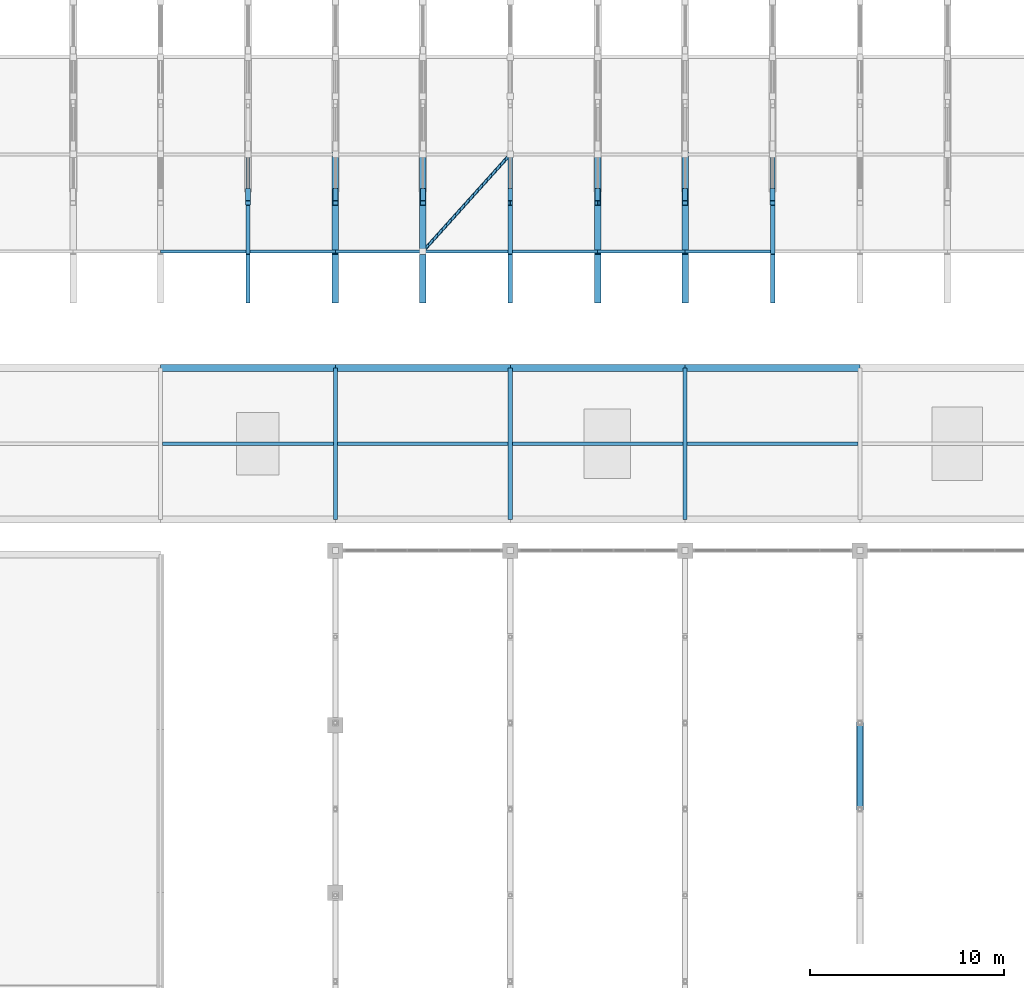
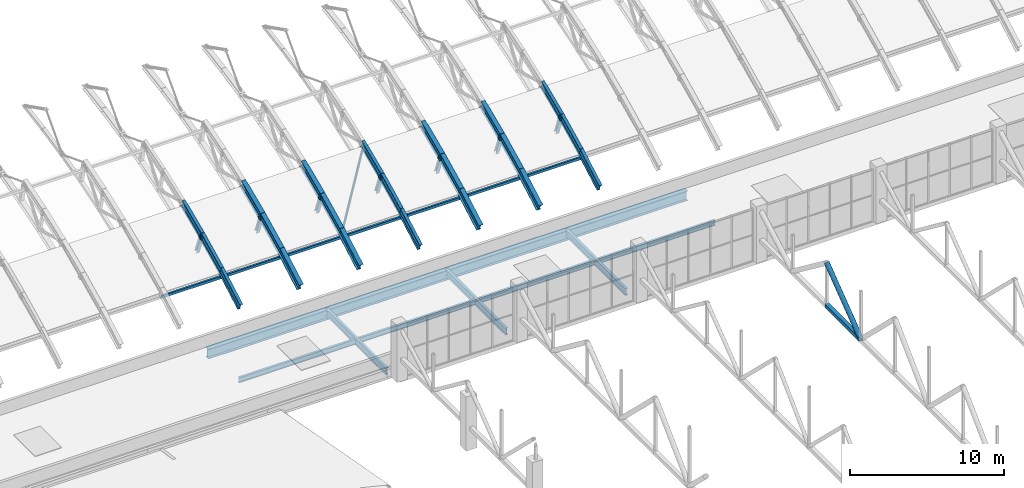
# One storey, part 23 of 103: 32 beams, 17 members.
"""IFC4 building model written with IfcOpenShell, lengths in metres."""

from ifc_helpers import new_model, si_unit, direction, frame, origin, origin_2d, place, context, subcontext, project, spatial, hollow_rectangle, hollow_circle, i_section, extrude, material, material_profile, profile_set, type_object, element, save


model = new_model("IFC4")

# Units and contexts
model_context = context("Model", 3, precision=1e-05, world=origin(), true_north=direction((0.0, 1.0)))
body_context = subcontext(model_context, "Body", "Model", "MODEL_VIEW")
ifc_project = project(units=[si_unit("LENGTHUNIT", "METRE"), si_unit("AREAUNIT", "SQUARE_METRE"), si_unit("VOLUMEUNIT", "CUBIC_METRE"), si_unit("PLANEANGLEUNIT", "RADIAN"), si_unit("MASSUNIT", "GRAM", prefix="KILO")], contexts=[model_context])

# Site, building, storey
site_placement = place(None, origin())
site = spatial("IfcSite", under=ifc_project, at=site_placement, CompositionType="ELEMENT")
building_placement = place(site_placement, origin())
building = spatial("IfcBuilding", under=site, at=building_placement, Name="Cazmaro Siding Exhibition Halls", CompositionType="ELEMENT")
storey_placement = place(building_placement, frame((0.0, 0.0, 16.5)))
storey = spatial("IfcBuildingStorey", under=building, at=storey_placement, Name="L03", CompositionType="ELEMENT", Elevation=16.5)

# Beams
ifc_material_1 = material(Name="Steel ASTM A992 Grade 50", Category="steel")
ifc_material_profile_1 = material_profile(ifc_material_1, i_section(OverallWidth=0.327880859375, OverallDepth=0.626953125, WebThickness=0.01708984375, FlangeThickness=0.028076171875, at=origin_2d()), Name="W24X146")
ifc_profile_set_1 = profile_set([ifc_material_profile_1], Name="Steel ASTM A992 Grade 50")
beam_type_1 = type_object("IfcBeamType", Name="AR-01", PredefinedType="USERDEFINED", material=ifc_profile_set_1)
beam_1_placement = place(storey_placement, frame((72.0, 66.5, -0.60693359375), z_axis=(0.0, 0.871320907359, 0.490713639916), x_axis=(-1.0, 0.0, 0.0)))
element("IfcBeam", 1, at=beam_1_placement, inside=storey, type_object=beam_type_1, Name="Space frame barrel vault arched rib AR-01 BM-0680", ObjectType="ARCHED RIB", PredefinedType="USERDEFINED", context=body_context, shape_type="SweptSolid", body=[
    extrude(i_section(OverallWidth=0.327880859375, OverallDepth=0.626953125, WebThickness=0.01708984375, FlangeThickness=0.028076171875, at=origin_2d()), origin(), (0.0, 0.0, 1.0), 2.869140625),
])
beam_2_placement = place(storey_placement, frame((72.0, 69.0, 0.801025390625), z_axis=(0.0, 0.895996638269, 0.444060833908), x_axis=(-1.0, 0.0, 0.0)))
element("IfcBeam", 2, at=beam_2_placement, inside=storey, type_object=beam_type_1, Name="Space frame barrel vault arched rib AR-01 BM-0681", ObjectType="ARCHED RIB", PredefinedType="USERDEFINED", context=body_context, shape_type="SweptSolid", body=[
    extrude(i_section(OverallWidth=0.327880859375, OverallDepth=0.626953125, WebThickness=0.01708984375, FlangeThickness=0.028076171875, at=origin_2d()), origin(), (0.0, 0.0, 1.0), 2.790283203125),
])
beam_3_placement = place(storey_placement, frame((72.0, 71.5, 2.0400390625), z_axis=(0.0, 0.917729918626, 0.397204980405), x_axis=(-1.0, 0.0, 0.0)))
element("IfcBeam", 3, at=beam_3_placement, inside=storey, type_object=beam_type_1, Name="Space frame barrel vault arched rib AR-01 BM-0682", ObjectType="ARCHED RIB", PredefinedType="USERDEFINED", context=body_context, shape_type="SweptSolid", body=[
    extrude(i_section(OverallWidth=0.327880859375, OverallDepth=0.626953125, WebThickness=0.01708984375, FlangeThickness=0.028076171875, at=origin_2d()), origin(), (0.0, 0.0, 1.0), 2.72412109375),
])
beam_4_placement = place(storey_placement, frame((85.5, 66.5, -0.60693359375), z_axis=(0.0, 0.871320907359, 0.490713639916), x_axis=(-1.0, 0.0, 0.0)))
element("IfcBeam", 4, at=beam_4_placement, inside=storey, type_object=beam_type_1, Name="Space frame barrel vault arched rib AR-01 BM-0752", ObjectType="ARCHED RIB", PredefinedType="USERDEFINED", context=body_context, shape_type="SweptSolid", body=[
    extrude(i_section(OverallWidth=0.327880859375, OverallDepth=0.626953125, WebThickness=0.01708984375, FlangeThickness=0.028076171875, at=origin_2d()), origin(), (0.0, 0.0, 1.0), 2.869140625),
])
beam_5_placement = place(storey_placement, frame((85.5, 69.0, 0.801025390625), z_axis=(0.0, 0.895996638269, 0.444060833908), x_axis=(-1.0, 0.0, 0.0)))
element("IfcBeam", 5, at=beam_5_placement, inside=storey, type_object=beam_type_1, Name="Space frame barrel vault arched rib AR-01 BM-0753", ObjectType="ARCHED RIB", PredefinedType="USERDEFINED", context=body_context, shape_type="SweptSolid", body=[
    extrude(i_section(OverallWidth=0.327880859375, OverallDepth=0.626953125, WebThickness=0.01708984375, FlangeThickness=0.028076171875, at=origin_2d()), origin(), (0.0, 0.0, 1.0), 2.790283203125),
])
beam_6_placement = place(storey_placement, frame((85.5, 71.5, 2.0400390625), z_axis=(0.0, 0.917729918626, 0.397204980405), x_axis=(-1.0, 0.0, 0.0)))
element("IfcBeam", 6, at=beam_6_placement, inside=storey, type_object=beam_type_1, Name="Space frame barrel vault arched rib AR-01 BM-0754", ObjectType="ARCHED RIB", PredefinedType="USERDEFINED", context=body_context, shape_type="SweptSolid", body=[
    extrude(i_section(OverallWidth=0.327880859375, OverallDepth=0.626953125, WebThickness=0.01708984375, FlangeThickness=0.028076171875, at=origin_2d()), origin(), (0.0, 0.0, 1.0), 2.72412109375),
])
ifc_material_2 = material(Name="Steel ASTM A992 Grade 50", Category="steel")
ifc_material_profile_2 = material_profile(ifc_material_2, i_section(OverallWidth=0.324951171875, OverallDepth=0.612060546875, WebThickness=0.012939453125, FlangeThickness=0.01904296875, at=origin_2d()), Name="W24X104")
ifc_profile_set_2 = profile_set([ifc_material_profile_2], Name="Steel ASTM A992 Grade 50")
beam_type_2 = type_object("IfcBeamType", Name="AR-02", PredefinedType="USERDEFINED", material=ifc_profile_set_2)
beam_7_placement = place(storey_placement, frame((76.5, 66.5, -0.60693359375), z_axis=(0.0, 0.871320907359, 0.490713639916), x_axis=(-1.0, 0.0, 0.0)))
element("IfcBeam", 7, at=beam_7_placement, inside=storey, type_object=beam_type_2, Name="Space frame barrel vault arched rib AR-02 BM-0704", ObjectType="ARCHED RIB", PredefinedType="USERDEFINED", context=body_context, shape_type="SweptSolid", body=[
    extrude(i_section(OverallWidth=0.324951171875, OverallDepth=0.612060546875, WebThickness=0.012939453125, FlangeThickness=0.01904296875, at=origin_2d()), origin(), (0.0, 0.0, 1.0), 2.869140625),
])
beam_8_placement = place(storey_placement, frame((76.5, 69.0, 0.801025390625), z_axis=(0.0, 0.895996638269, 0.444060833908), x_axis=(-1.0, 0.0, 0.0)))
element("IfcBeam", 8, at=beam_8_placement, inside=storey, type_object=beam_type_2, Name="Space frame barrel vault arched rib AR-02 BM-0705", ObjectType="ARCHED RIB", PredefinedType="USERDEFINED", context=body_context, shape_type="SweptSolid", body=[
    extrude(i_section(OverallWidth=0.324951171875, OverallDepth=0.612060546875, WebThickness=0.012939453125, FlangeThickness=0.01904296875, at=origin_2d()), origin(), (0.0, 0.0, 1.0), 2.790283203125),
])
beam_9_placement = place(storey_placement, frame((76.5, 71.5, 2.0400390625), z_axis=(0.0, 0.917729918626, 0.397204980405), x_axis=(-1.0, 0.0, 0.0)))
element("IfcBeam", 9, at=beam_9_placement, inside=storey, type_object=beam_type_2, Name="Space frame barrel vault arched rib AR-02 BM-0706", ObjectType="ARCHED RIB", PredefinedType="USERDEFINED", context=body_context, shape_type="SweptSolid", body=[
    extrude(i_section(OverallWidth=0.324951171875, OverallDepth=0.612060546875, WebThickness=0.012939453125, FlangeThickness=0.01904296875, at=origin_2d()), origin(), (0.0, 0.0, 1.0), 2.72412109375),
])
beam_10_placement = place(storey_placement, frame((90.0, 66.5, -0.60693359375), z_axis=(0.0, 0.871320907359, 0.490713639916), x_axis=(-1.0, 0.0, 0.0)))
element("IfcBeam", 10, at=beam_10_placement, inside=storey, type_object=beam_type_2, Name="Space frame barrel vault arched rib AR-02 BM-0776", ObjectType="ARCHED RIB", PredefinedType="USERDEFINED", context=body_context, shape_type="SweptSolid", body=[
    extrude(i_section(OverallWidth=0.324951171875, OverallDepth=0.612060546875, WebThickness=0.012939453125, FlangeThickness=0.01904296875, at=origin_2d()), origin(), (0.0, 0.0, 1.0), 2.869140625),
])
beam_11_placement = place(storey_placement, frame((90.0, 69.0, 0.801025390625), z_axis=(0.0, 0.895996638269, 0.444060833908), x_axis=(-1.0, 0.0, 0.0)))
element("IfcBeam", 11, at=beam_11_placement, inside=storey, type_object=beam_type_2, Name="Space frame barrel vault arched rib AR-02 BM-0777", ObjectType="ARCHED RIB", PredefinedType="USERDEFINED", context=body_context, shape_type="SweptSolid", body=[
    extrude(i_section(OverallWidth=0.324951171875, OverallDepth=0.612060546875, WebThickness=0.012939453125, FlangeThickness=0.01904296875, at=origin_2d()), origin(), (0.0, 0.0, 1.0), 2.790283203125),
])
beam_12_placement = place(storey_placement, frame((90.0, 71.5, 2.0400390625), z_axis=(0.0, 0.917729918626, 0.397204980405), x_axis=(-1.0, 0.0, 0.0)))
element("IfcBeam", 12, at=beam_12_placement, inside=storey, type_object=beam_type_2, Name="Space frame barrel vault arched rib AR-02 BM-0778", ObjectType="ARCHED RIB", PredefinedType="USERDEFINED", context=body_context, shape_type="SweptSolid", body=[
    extrude(i_section(OverallWidth=0.324951171875, OverallDepth=0.612060546875, WebThickness=0.012939453125, FlangeThickness=0.01904296875, at=origin_2d()), origin(), (0.0, 0.0, 1.0), 2.72412109375),
])
ifc_material_3 = material(Name="Steel ASTM A992 Grade 50", Category="steel")
ifc_material_profile_3 = material_profile(ifc_material_3, i_section(OverallWidth=0.22900390625, OverallDepth=0.612060546875, WebThickness=0.011962890625, FlangeThickness=0.02001953125, at=origin_2d()), Name="W24X84")
ifc_profile_set_3 = profile_set([ifc_material_profile_3], Name="Steel ASTM A992 Grade 50")
beam_type_3 = type_object("IfcBeamType", Name="AR-03", PredefinedType="USERDEFINED", material=ifc_profile_set_3)
beam_13_placement = place(storey_placement, frame((67.5, 66.5, -0.60693359375), z_axis=(0.0, 0.871320907359, 0.490713639916), x_axis=(-1.0, 0.0, 0.0)))
element("IfcBeam", 13, at=beam_13_placement, inside=storey, type_object=beam_type_3, Name="Space frame barrel vault arched rib AR-03 BM-0656", ObjectType="ARCHED RIB", PredefinedType="USERDEFINED", context=body_context, shape_type="SweptSolid", body=[
    extrude(i_section(OverallWidth=0.22900390625, OverallDepth=0.612060546875, WebThickness=0.011962890625, FlangeThickness=0.02001953125, at=origin_2d()), origin(), (0.0, 0.0, 1.0), 2.869140625),
])
beam_14_placement = place(storey_placement, frame((67.5, 69.0, 0.801025390625), z_axis=(0.0, 0.895996638269, 0.444060833908), x_axis=(-1.0, 0.0, 0.0)))
element("IfcBeam", 14, at=beam_14_placement, inside=storey, type_object=beam_type_3, Name="Space frame barrel vault arched rib AR-03 BM-0657", ObjectType="ARCHED RIB", PredefinedType="USERDEFINED", context=body_context, shape_type="SweptSolid", body=[
    extrude(i_section(OverallWidth=0.22900390625, OverallDepth=0.612060546875, WebThickness=0.011962890625, FlangeThickness=0.02001953125, at=origin_2d()), origin(), (0.0, 0.0, 1.0), 2.790283203125),
])
beam_15_placement = place(storey_placement, frame((67.5, 71.5, 2.0400390625), z_axis=(0.0, 0.917729918626, 0.397204980405), x_axis=(-1.0, 0.0, 0.0)))
element("IfcBeam", 15, at=beam_15_placement, inside=storey, type_object=beam_type_3, Name="Space frame barrel vault arched rib AR-03 BM-0658", ObjectType="ARCHED RIB", PredefinedType="USERDEFINED", context=body_context, shape_type="SweptSolid", body=[
    extrude(i_section(OverallWidth=0.22900390625, OverallDepth=0.612060546875, WebThickness=0.011962890625, FlangeThickness=0.02001953125, at=origin_2d()), origin(), (0.0, 0.0, 1.0), 2.72412109375),
])
beam_16_placement = place(storey_placement, frame((81.0, 66.5, -0.60693359375), z_axis=(0.0, 0.871320907359, 0.490713639916), x_axis=(-1.0, 0.0, 0.0)))
element("IfcBeam", 16, at=beam_16_placement, inside=storey, type_object=beam_type_3, Name="Space frame barrel vault arched rib AR-03 BM-0728", ObjectType="ARCHED RIB", PredefinedType="USERDEFINED", context=body_context, shape_type="SweptSolid", body=[
    extrude(i_section(OverallWidth=0.22900390625, OverallDepth=0.612060546875, WebThickness=0.011962890625, FlangeThickness=0.02001953125, at=origin_2d()), origin(), (0.0, 0.0, 1.0), 2.869140625),
])
beam_17_placement = place(storey_placement, frame((81.0, 69.0, 0.801025390625), z_axis=(0.0, 0.895996638269, 0.444060833908), x_axis=(-1.0, 0.0, 0.0)))
element("IfcBeam", 17, at=beam_17_placement, inside=storey, type_object=beam_type_3, Name="Space frame barrel vault arched rib AR-03 BM-0729", ObjectType="ARCHED RIB", PredefinedType="USERDEFINED", context=body_context, shape_type="SweptSolid", body=[
    extrude(i_section(OverallWidth=0.22900390625, OverallDepth=0.612060546875, WebThickness=0.011962890625, FlangeThickness=0.02001953125, at=origin_2d()), origin(), (0.0, 0.0, 1.0), 2.790283203125),
])
beam_18_placement = place(storey_placement, frame((81.0, 71.5, 2.0400390625), z_axis=(0.0, 0.917729918626, 0.397204980405), x_axis=(-1.0, 0.0, 0.0)))
element("IfcBeam", 18, at=beam_18_placement, inside=storey, type_object=beam_type_3, Name="Space frame barrel vault arched rib AR-03 BM-0730", ObjectType="ARCHED RIB", PredefinedType="USERDEFINED", context=body_context, shape_type="SweptSolid", body=[
    extrude(i_section(OverallWidth=0.22900390625, OverallDepth=0.612060546875, WebThickness=0.011962890625, FlangeThickness=0.02001953125, at=origin_2d()), origin(), (0.0, 0.0, 1.0), 2.72412109375),
])
beam_19_placement = place(storey_placement, frame((94.5, 66.5, -0.60693359375), z_axis=(0.0, 0.871320907359, 0.490713639916), x_axis=(-1.0, 0.0, 0.0)))
element("IfcBeam", 19, at=beam_19_placement, inside=storey, type_object=beam_type_3, Name="Space frame barrel vault arched rib AR-03 BM-0800", ObjectType="ARCHED RIB", PredefinedType="USERDEFINED", context=body_context, shape_type="SweptSolid", body=[
    extrude(i_section(OverallWidth=0.22900390625, OverallDepth=0.612060546875, WebThickness=0.011962890625, FlangeThickness=0.02001953125, at=origin_2d()), origin(), (0.0, 0.0, 1.0), 2.869140625),
])
beam_20_placement = place(storey_placement, frame((94.5, 69.0, 0.801025390625), z_axis=(0.0, 0.895996638269, 0.444060833908), x_axis=(-1.0, 0.0, 0.0)))
element("IfcBeam", 20, at=beam_20_placement, inside=storey, type_object=beam_type_3, Name="Space frame barrel vault arched rib AR-03 BM-0801", ObjectType="ARCHED RIB", PredefinedType="USERDEFINED", context=body_context, shape_type="SweptSolid", body=[
    extrude(i_section(OverallWidth=0.22900390625, OverallDepth=0.612060546875, WebThickness=0.011962890625, FlangeThickness=0.02001953125, at=origin_2d()), origin(), (0.0, 0.0, 1.0), 2.790283203125),
])
beam_21_placement = place(storey_placement, frame((94.5, 71.5, 2.0400390625), z_axis=(0.0, 0.917729918626, 0.397204980405), x_axis=(-1.0, 0.0, 0.0)))
element("IfcBeam", 21, at=beam_21_placement, inside=storey, type_object=beam_type_3, Name="Space frame barrel vault arched rib AR-03 BM-0802", ObjectType="ARCHED RIB", PredefinedType="USERDEFINED", context=body_context, shape_type="SweptSolid", body=[
    extrude(i_section(OverallWidth=0.22900390625, OverallDepth=0.612060546875, WebThickness=0.011962890625, FlangeThickness=0.02001953125, at=origin_2d()), origin(), (0.0, 0.0, 1.0), 2.72412109375),
])
ifc_material_4 = material(Name="Steel ASTM A992 Grade 50", Category="steel")
ifc_material_profile_4 = material_profile(ifc_material_4, i_section(OverallWidth=0.2099609375, OverallDepth=0.535888671875, WebThickness=0.010986328125, FlangeThickness=0.01708984375, at=origin_2d()), Name="W21X68")
ifc_profile_set_4 = profile_set([ifc_material_profile_4], Name="Steel ASTM A992 Grade 50")
beam_type_4 = type_object("IfcBeamType", Name="B-02", PredefinedType="BEAM", material=ifc_profile_set_4)
for number, where, z_axis, x_axis, name in (
    (22, (72.0, 55.199951171875, -0.443115234375), (0.0, 1.0, 0.0), (-1.0, 0.0, 0.0), "Beam B-02 BM-1698"),
    (23, (81.0, 55.199951171875, -0.443115234375), (0.0, 1.0, 0.0), (-1.0, 0.0, 0.0), "Beam B-02 BM-1701"),
    (24, (90.0, 55.199951171875, -0.443115234375), (0.0, 1.0, 0.0), (-1.0, 0.0, 0.0), "Beam B-02 BM-1704"),
):
    element("IfcBeam", number, at=place(storey_placement, frame(where, z_axis=z_axis, x_axis=x_axis)), inside=storey, type_object=beam_type_4, Name=name, PredefinedType="BEAM", context=body_context, shape_type="SweptSolid", body=[
        extrude(i_section(OverallWidth=0.2099609375, OverallDepth=0.535888671875, WebThickness=0.010986328125, FlangeThickness=0.01708984375, at=origin_2d()), origin(), (0.0, 0.0, 1.0), 7.800048828125),
    ])
ifc_material_5 = material(Name="Steel ASTM A992 Grade 50", Category="steel")
ifc_material_profile_5 = material_profile(ifc_material_5, i_section(OverallWidth=0.381103515625, OverallDepth=0.779052734375, WebThickness=0.01806640625, FlangeThickness=0.030029296875, at=origin_2d()), Name="W30X191")
ifc_profile_set_5 = profile_set([ifc_material_profile_5], Name="Steel ASTM A992 Grade 50")
beam_type_5 = type_object("IfcBeamType", Name="G-04", PredefinedType="USERDEFINED", material=ifc_profile_set_5)
for number, where, z_axis, x_axis, name in (
    (25, (63.0, 63.0, -0.56494140625), (1.0, 0.0, 0.0), (0.0, 1.0, 0.0), "Beam G-04 BM-1599"),
    (26, (72.0, 63.0, -0.56494140625), (1.0, 0.0, 0.0), (0.0, 1.0, 0.0), "Beam G-04 BM-1608"),
    (27, (81.0, 63.0, -0.56494140625), (1.0, 0.0, 0.0), (0.0, 1.0, 0.0), "Beam G-04 BM-1617"),
    (28, (90.0, 63.0, -0.56494140625), (1.0, 0.0, 0.0), (0.0, 1.0, 0.0), "Beam G-04 BM-1624"),
):
    element("IfcBeam", number, at=place(storey_placement, frame(where, z_axis=z_axis, x_axis=x_axis)), inside=storey, type_object=beam_type_5, Name=name, ObjectType="GIRDER", PredefinedType="USERDEFINED", context=body_context, shape_type="SweptSolid", body=[
        extrude(i_section(OverallWidth=0.381103515625, OverallDepth=0.779052734375, WebThickness=0.01806640625, FlangeThickness=0.030029296875, at=origin_2d()), origin(), (0.0, 0.0, 1.0), 9.0),
    ])
ifc_material_6 = material(Name="Steel ASTM A992 Grade 50", Category="steel")
ifc_material_profile_6 = material_profile(ifc_material_6, i_section(OverallWidth=0.177978515625, OverallDepth=0.406005859375, WebThickness=0.008056640625, FlangeThickness=0.012939453125, at=origin_2d()), Name="W16X40")
ifc_profile_set_6 = profile_set([ifc_material_profile_6], Name="Steel ASTM A992 Grade 50")
beam_type_6 = type_object("IfcBeamType", Name="J-02", PredefinedType="JOIST", material=ifc_profile_set_6)
for number, where, z_axis, x_axis, name in (
    (29, (63.10498046875, 59.10009765625, -0.3779296875), (1.0, 0.0, 0.0), (0.0, 1.0, 0.0), "Beam J-02 BM-1600"),
    (30, (72.10498046875, 59.10009765625, -0.3779296875), (1.0, 0.0, 0.0), (0.0, 1.0, 0.0), "Beam J-02 BM-1609"),
    (31, (81.10498046875, 59.10009765625, -0.3779296875), (1.0, 0.0, 0.0), (0.0, 1.0, 0.0), "Beam J-02 BM-1618"),
    (32, (90.10498046875, 59.10009765625, -0.3779296875), (1.0, 0.0, 0.0), (0.0, 1.0, 0.0), "Beam J-02 BM-1625"),
):
    element("IfcBeam", number, at=place(storey_placement, frame(where, z_axis=z_axis, x_axis=x_axis)), inside=storey, type_object=beam_type_6, Name=name, PredefinedType="JOIST", context=body_context, shape_type="SweptSolid", body=[
        extrude(i_section(OverallWidth=0.177978515625, OverallDepth=0.406005859375, WebThickness=0.008056640625, FlangeThickness=0.012939453125, at=origin_2d()), origin(), (0.0, 0.0, 1.0), 8.7900390625),
    ])

# Members
ifc_material_7 = material(Name="Steel ASTM A500 Grade C", Category="steel")
ifc_material_profile_7 = material_profile(ifc_material_7, hollow_rectangle(XDim=0.152099609375, YDim=0.202880859375, WallThickness=0.011962890625, at=origin_2d()), Name="HSS8X6X1/2")
ifc_profile_set_7 = profile_set([ifc_material_profile_7], Name="Steel ASTM A500 Grade C")
member_type_1 = type_object("IfcMemberType", Name="RP-01", PredefinedType="PURLIN", material=ifc_profile_set_7)
for number, where, z_axis, x_axis, name in (
    (33, (63.0, 69.0, 0.260986328125), (1.0, 0.0, 0.0), (0.0, 1.0, 0.0), "Space frame barrel vault purlin RP-01 MEM-2014"),
    (34, (67.5, 69.0, 0.260986328125), (1.0, 0.0, 0.0), (0.0, 1.0, 0.0), "Space frame barrel vault purlin RP-01 MEM-2025"),
    (35, (72.0, 69.0, 0.260986328125), (1.0, 0.0, 0.0), (0.0, 1.0, 0.0), "Space frame barrel vault purlin RP-01 MEM-2036"),
    (36, (76.5, 69.0, 0.260986328125), (1.0, 0.0, 0.0), (0.0, 1.0, 0.0), "Space frame barrel vault purlin RP-01 MEM-2047"),
    (37, (81.0, 69.0, 0.260986328125), (1.0, 0.0, 0.0), (0.0, 1.0, 0.0), "Space frame barrel vault purlin RP-01 MEM-2064"),
    (38, (85.5, 69.0, 0.260986328125), (1.0, 0.0, 0.0), (0.0, 1.0, 0.0), "Space frame barrel vault purlin RP-01 MEM-2075"),
    (39, (90.0, 69.0, 0.260986328125), (1.0, 0.0, 0.0), (0.0, 1.0, 0.0), "Space frame barrel vault purlin RP-01 MEM-2086"),
):
    element("IfcMember", number, at=place(storey_placement, frame(where, z_axis=z_axis, x_axis=x_axis)), inside=storey, type_object=member_type_1, Name=name, PredefinedType="PURLIN", context=body_context, shape_type="SweptSolid", body=[
        extrude(hollow_rectangle(XDim=0.152099609375, YDim=0.202880859375, WallThickness=0.011962890625, at=origin_2d()), origin(), (0.0, 0.0, 1.0), 4.5),
    ])
ifc_material_8 = material(Name="Steel ASTM A500 Grade C", Category="steel")
ifc_material_profile_8 = material_profile(ifc_material_8, hollow_rectangle(XDim=0.304931640625, YDim=0.304931640625, WallThickness=0.014892578125, at=origin_2d()), Name="HSS12X12X5/8")
ifc_profile_set_8 = profile_set([ifc_material_profile_8], Name="Steel ASTM A500 Grade C")
member_type_2 = type_object("IfcMemberType", Name="TC-02", PredefinedType="CHORD", material=ifc_profile_set_8)
member_1_placement = place(storey_placement, frame((99.0, 40.294921875, 1.699951171875), z_axis=(0.0, 1.0, 0.0), x_axis=(-1.0, 0.0, 0.0)))
element("IfcMember", 40, at=member_1_placement, inside=storey, type_object=member_type_2, Name="Warren roof truss bottom chord TC-02 MEM-2441", PredefinedType="CHORD", context=body_context, shape_type="SweptSolid", body=[
    extrude(hollow_rectangle(XDim=0.304931640625, YDim=0.304931640625, WallThickness=0.014892578125, at=origin_2d()), origin(), (0.0, 0.0, 1.0), 4.43505859375),
])
ifc_material_9 = material(Name="Steel ASTM A992 Grade 50", Category="steel")
ifc_material_profile_9 = material_profile(ifc_material_9, i_section(OverallWidth=0.25390625, OverallDepth=0.25390625, WebThickness=0.009033203125, FlangeThickness=0.013916015625, at=origin_2d()), Name="W10X49")
ifc_profile_set_9 = profile_set([ifc_material_profile_9], Name="Steel ASTM A992 Grade 50")
member_type_3 = type_object("IfcMemberType", Name="TP-04", PredefinedType="POST", material=ifc_profile_set_9)
for number, where, z_axis, x_axis, name in (
    (41, (67.5, 72.131103515625, 0.37890625), (0.0, -0.355155331276, 0.934807301355), (1.0, 0.0, 0.0), "Space frame barrel vault post TP-04 MEM-0358"),
    (42, (72.0, 72.131103515625, 0.37890625), (0.0, -0.355155331276, 0.934807301355), (1.0, 0.0, 0.0), "Space frame barrel vault post TP-04 MEM-0429"),
    (43, (76.5, 72.131103515625, 0.37890625), (0.0, -0.355155331276, 0.934807301355), (1.0, 0.0, 0.0), "Space frame barrel vault post TP-04 MEM-0500"),
    (44, (81.0, 72.131103515625, 0.37890625), (0.0, -0.355155331276, 0.934807301355), (1.0, 0.0, 0.0), "Space frame barrel vault post TP-04 MEM-0571"),
    (45, (85.5, 72.131103515625, 0.37890625), (0.0, -0.355155331276, 0.934807301355), (1.0, 0.0, 0.0), "Space frame barrel vault post TP-04 MEM-0642"),
    (46, (90.0, 72.131103515625, 0.37890625), (0.0, -0.355155331276, 0.934807301355), (1.0, 0.0, 0.0), "Space frame barrel vault post TP-04 MEM-0713"),
    (47, (94.5, 72.131103515625, 0.37890625), (0.0, -0.355155331276, 0.934807301355), (1.0, 0.0, 0.0), "Space frame barrel vault post TP-04 MEM-0784"),
):
    element("IfcMember", number, at=place(storey_placement, frame(where, z_axis=z_axis, x_axis=x_axis)), inside=storey, type_object=member_type_3, Name=name, PredefinedType="POST", context=body_context, shape_type="SweptSolid", body=[
        extrude(i_section(OverallWidth=0.25390625, OverallDepth=0.25390625, WebThickness=0.009033203125, FlangeThickness=0.013916015625, at=origin_2d()), origin(), (0.0, 0.0, 1.0), 1.777099609375),
    ])
ifc_material_10 = material(Name="Steel ASTM A500 Grade C", Category="steel")
ifc_material_profile_10 = material_profile(ifc_material_10, hollow_circle(Radius=0.083984375, WallThickness=0.01806640625, at=origin_2d()), Name="PIPE6XXS")
ifc_profile_set_10 = profile_set([ifc_material_profile_10], Name="Steel ASTM A500 Grade C")
member_type_4 = type_object("IfcMemberType", Name="WB-05", PredefinedType="BRACE", material=ifc_profile_set_10)
member_2_placement = place(storey_placement, frame((76.5, 69.0, 0.260986328125), z_axis=(0.632379029545, 0.702643366161, 0.326173363384), x_axis=(-0.743294146247, 0.668964731622, 0.0)))
element("IfcMember", 48, at=member_2_placement, inside=storey, type_object=member_type_4, Name="Space frame barrel vault wind brace WB-05 MEM-2058", PredefinedType="BRACE", context=body_context, shape_type="SweptSolid", body=[
    extrude(hollow_circle(Radius=0.083984375, WallThickness=0.01806640625, at=origin_2d()), origin(), (0.0, 0.0, 1.0), 7.115966796875),
])
ifc_material_11 = material(Name="Steel ASTM A500 Grade C", Category="steel")
ifc_material_profile_11 = material_profile(ifc_material_11, hollow_circle(Radius=0.177978515625, WallThickness=0.012939453125, at=origin_2d()), Name="PIPE14XS")
ifc_profile_set_11 = profile_set([ifc_material_profile_11], Name="Steel ASTM A500 Grade C")
member_type_5 = type_object("IfcMemberType", Name="WB-06", PredefinedType="BRACE", material=ifc_profile_set_11)
member_3_placement = place(storey_placement, frame((99.0, 40.294921875, 1.699951171875), z_axis=(0.0, 0.795954445209, 0.605356524002), x_axis=(-1.0, 0.0, 0.0)))
element("IfcMember", 49, at=member_3_placement, inside=storey, type_object=member_type_5, Name="Warren roof truss diagonal WB-06 MEM-2442", PredefinedType="BRACE", context=body_context, shape_type="SweptSolid", body=[
    extrude(hollow_circle(Radius=0.177978515625, WallThickness=0.012939453125, at=origin_2d()), origin(), (0.0, 0.0, 1.0), 5.572021484375),
])

save(model, "model.ifc")
